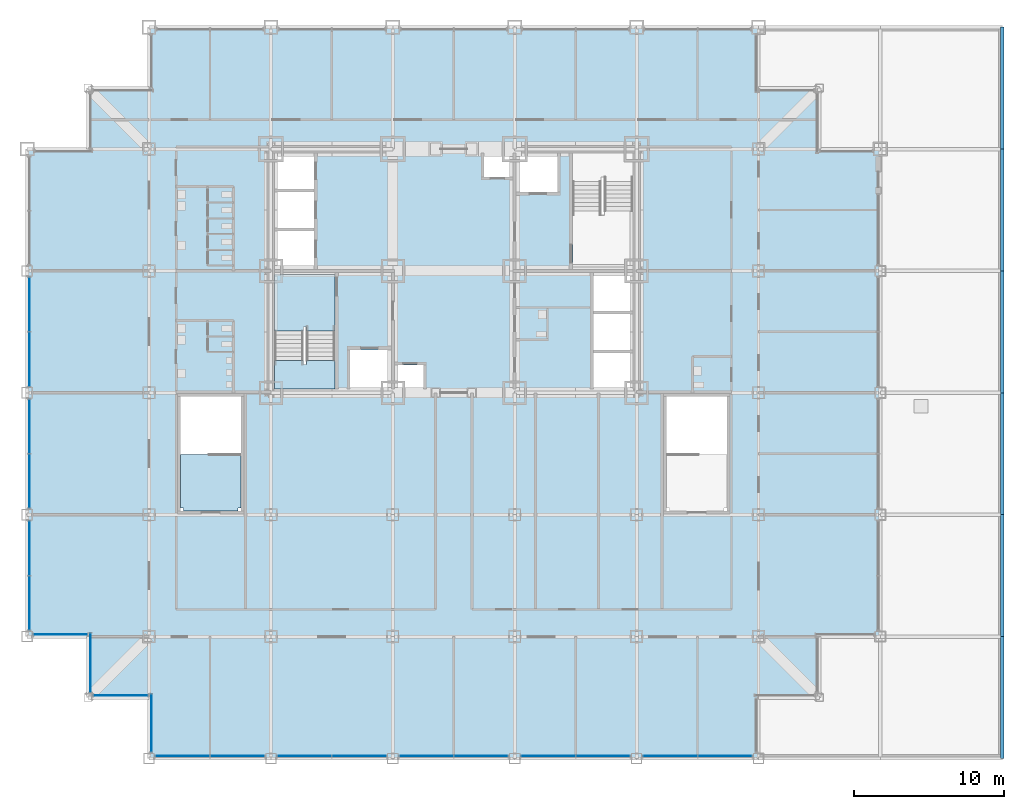
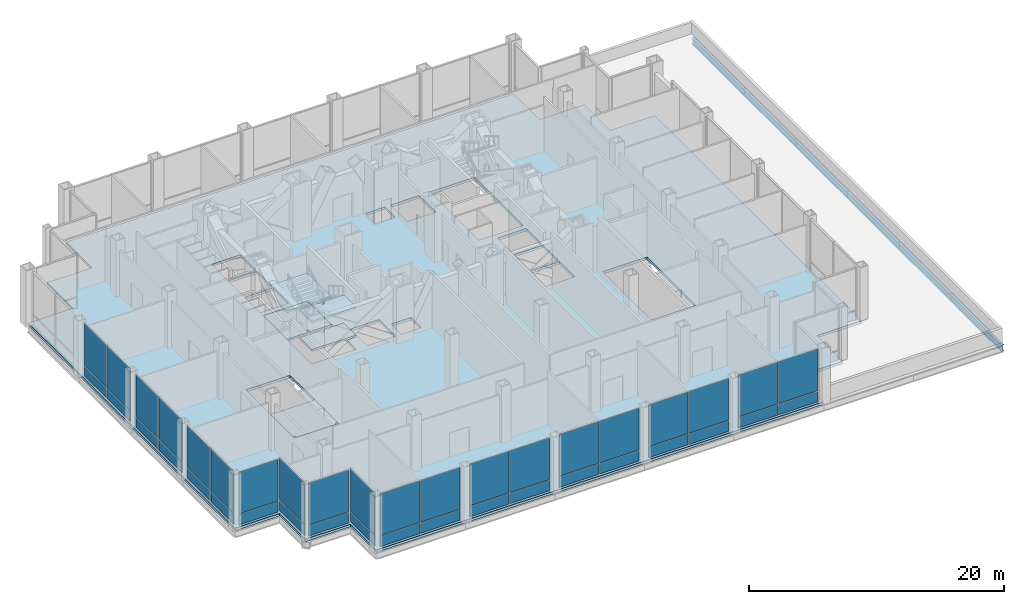
# One storey, part 10 of 18: 40 plates, 6 beams, 6 slabs, 13 elements without a shape of their own.
"""IFC4 building model written with IfcOpenShell, lengths in metres."""

import ifcopenshell
import ifcopenshell.guid

model = None  # the IFC model being written
_history = None  # IfcOwnerHistory: only IFC2X3 demands one
_inside = {}  # id of a spatial element -> (the spatial element, [elements in it])
_under = {}  # id of a project, library or spatial element -> (it, [spatial elements below it])
_declared = {}  # id of a project -> (the project, [libraries it declares])
_typed = {}  # id of a type object -> (the type object, [elements of that type])
_made_of = {}  # id of a material, layer set ... -> (it, [elements and type objects made of it])


def new_model(schema):
    """Start an empty IFC model of exactly this schema.

    Asked for "IFC4X3", IfcOpenShell would pick the latest addendum, in which some entities
    have other attributes; the version numbers below select the first issue.
    IFC2X3 requires an IfcOwnerHistory on every rooted entity: one is made here for all.
    """
    global model, _history
    if schema == "IFC4X3":
        model = ifcopenshell.file(schema_version=(4, 3, 0, 0))
    else:
        model = ifcopenshell.file(schema=schema)
    _inside.clear()
    _under.clear()
    _declared.clear()
    _typed.clear()
    _made_of.clear()
    _history = None
    if model.schema == "IFC2X3":
        org = make("IfcOrganization", Name="unknown")
        user = make(
            "IfcPersonAndOrganization",
            ThePerson=make("IfcPerson", FamilyName="unknown"),
            TheOrganization=org,
        )
        app = make(
            "IfcApplication",
            ApplicationDeveloper=org,
            Version="unknown",
            ApplicationFullName="unknown",
            ApplicationIdentifier="unknown",
        )
        _history = make(
            "IfcOwnerHistory",
            OwningUser=user,
            OwningApplication=app,
            ChangeAction="ADDED",
            CreationDate=0,
        )
    return model


def make(cls, **values):
    """One entity of the class cls with the attributes given. An attribute that is None is left unset."""
    return model.create_entity(
        cls, **{name: value for name, value in values.items() if value is not None}
    )


def rooted(cls, **values):
    """An entity with a GlobalId (a new one), such as an element, a storey or a relation."""
    return make(cls, GlobalId=ifcopenshell.guid.new(), OwnerHistory=_history, **values)


def si_unit(unit_type, name, prefix=None):
    """IfcSIUnit, for example si_unit("LENGTHUNIT", "METRE", prefix="MILLI")."""
    return make("IfcSIUnit", UnitType=unit_type, Prefix=prefix, Name=name)


def assignment(units):
    """IfcUnitAssignment: the units of a project."""
    return None if units is None else make("IfcUnitAssignment", Units=units)


def point(xyz):
    """IfcCartesianPoint."""
    return None if xyz is None else make("IfcCartesianPoint", Coordinates=xyz)


def direction(xyz):
    """IfcDirection."""
    return None if xyz is None else make("IfcDirection", DirectionRatios=xyz)


def frame(location, z_axis=None, x_axis=None):
    """IfcAxis2Placement3D, a coordinate frame: its origin and axes. An axis left out is left unset."""
    return make(
        "IfcAxis2Placement3D",
        Location=point(location),
        Axis=direction(z_axis),
        RefDirection=direction(x_axis),
    )


def frame_2d(location, x_axis=None):
    """IfcAxis2Placement2D, a coordinate frame in the plane: its origin and x axis."""
    return make(
        "IfcAxis2Placement2D", Location=point(location), RefDirection=direction(x_axis)
    )


def origin():
    """The frame at (0, 0, 0) with its axes left unset."""
    return frame((0.0, 0.0, 0.0))


def origin_2d():
    """The frame at (0, 0) in the plane with its x axis left unset."""
    return frame_2d((0.0, 0.0))


def place(relative_to, where):
    """IfcLocalPlacement: puts the frame where relative to a parent placement (None: the world)."""
    return make(
        "IfcLocalPlacement", PlacementRelTo=relative_to, RelativePlacement=where
    )


def context(
    kind, dimensions, precision=None, world=None, true_north=None, identifier=None
):
    """IfcGeometricRepresentationContext, for example the 3D "Model" context."""
    return make(
        "IfcGeometricRepresentationContext",
        ContextIdentifier=identifier,
        ContextType=kind,
        CoordinateSpaceDimension=dimensions,
        Precision=precision,
        WorldCoordinateSystem=world,
        TrueNorth=true_north,
    )


def subcontext(parent, identifier, kind, view, scale=None):
    """IfcGeometricRepresentationSubContext, for example "Body" below "Model"."""
    return make(
        "IfcGeometricRepresentationSubContext",
        ContextIdentifier=identifier,
        ContextType=kind,
        ParentContext=parent,
        TargetScale=scale,
        TargetView=view,
    )


def project(units=None, contexts=None):
    """IfcProject with its units and contexts."""
    return rooted(
        "IfcProject",
        Name="project",
        RepresentationContexts=contexts,
        UnitsInContext=assignment(units),
    )


def spatial(cls, under=None, at=None, **own):
    """A site, building, storey or space (cls), placed at a placement, below another one or the project."""
    s = rooted(cls, ObjectPlacement=at, **own)
    if under is not None:
        _under.setdefault(under.id(), (under, []))[1].append(s)
    return s


def polyline(points):
    """IfcPolyline through the points."""
    return make("IfcPolyline", Points=[point(p) for p in points])


def profile(cls, at=None, kind="AREA", **sizes):
    """A parametric profile (cls). Its sizes go by their IFC names, for example OverallWidth=200.0."""
    return make(cls, ProfileType=kind, Position=at, **sizes)


def rectangle(**sizes):
    """IfcRectangleProfileDef."""
    return profile("IfcRectangleProfileDef", **sizes)


def i_section(**sizes):
    """IfcIShapeProfileDef."""
    return profile("IfcIShapeProfileDef", **sizes)


def outline(outer, holes=None, kind="AREA"):
    """IfcArbitraryClosedProfileDef: a profile drawn as a closed curve; with holes, ...WithVoids."""
    if holes is None:
        return make("IfcArbitraryClosedProfileDef", ProfileType=kind, OuterCurve=outer)
    return make(
        "IfcArbitraryProfileDefWithVoids",
        ProfileType=kind,
        OuterCurve=outer,
        InnerCurves=holes,
    )


def extrude(swept, where, along, depth):
    """IfcExtrudedAreaSolid: the profile swept, set in the frame where, extruded along a direction by depth."""
    return make(
        "IfcExtrudedAreaSolid",
        SweptArea=swept,
        Position=where,
        ExtrudedDirection=direction(along),
        Depth=depth,
    )


def shape(context_of_items, identifier, shape_type, items):
    """IfcShapeRepresentation: the items that make up one representation, for example the "Body"."""
    return make(
        "IfcShapeRepresentation",
        ContextOfItems=context_of_items,
        RepresentationIdentifier=identifier,
        RepresentationType=shape_type,
        Items=items,
    )


def material(Name=None, Category=None):
    """IfcMaterial."""
    return make("IfcMaterial", Name=Name, Category=Category)


def layer(
    of_material, thickness, ventilated=None, Name=None, Category=None, Priority=None
):
    """IfcMaterialLayer: one layer of a wall or slab, of a material (None: an air gap)."""
    return make(
        "IfcMaterialLayer",
        Material=of_material,
        LayerThickness=thickness,
        IsVentilated=ventilated,
        Name=Name,
        Category=Category,
        Priority=Priority,
    )


def layer_set(layers, Name=None):
    """IfcMaterialLayerSet."""
    return make("IfcMaterialLayerSet", MaterialLayers=layers, LayerSetName=Name)


def material_profile(
    of_material, cross_section, Name=None, Category=None, Priority=None
):
    """IfcMaterialProfile: a cross section and its material."""
    return make(
        "IfcMaterialProfile",
        Name=Name,
        Material=of_material,
        Profile=cross_section,
        Priority=Priority,
        Category=Category,
    )


def profile_set(profiles, Name=None, composite=None):
    """IfcMaterialProfileSet."""
    return make(
        "IfcMaterialProfileSet",
        Name=Name,
        MaterialProfiles=profiles,
        CompositeProfile=composite,
    )


def made_of(thing, what):
    """Note that an element or type object is made of a material, layer set ...; save() writes the relation."""
    if what is not None:
        _made_of.setdefault(what.id(), (what, []))[1].append(thing)
    return thing


def type_object(cls, material=None, **own):
    """A type object (cls), such as IfcWallType, which elements share."""
    return made_of(rooted(cls, **own), material)


def element(
    cls,
    number,
    at=None,
    inside=None,
    cuts=None,
    type_object=None,
    material=None,
    context=None,
    identifier="Body",
    shape_type=None,
    held_by="IfcProductDefinitionShape",
    body=None,
    shapes=None,
    **own,
):
    """One element of the class cls, such as IfcWall. Its Tag is "e" and its number.

    at: its placement. inside: the storey or other place that contains it. cuts: it is an
    opening in that element (IfcRelVoidsElement). A single representation is given by context,
    identifier, shape_type and body (its items); several are given by shapes. held_by: the class
    of the entity that holds the representations. save() writes the other relations.
    """
    e = rooted(cls, Tag="e%d" % number, ObjectPlacement=at, **own)
    if body is not None:
        shapes = [shape(context, identifier, shape_type, body)]
    if shapes is not None:
        e.Representation = make(held_by, Representations=shapes)
    if inside is not None:
        _inside.setdefault(inside.id(), (inside, []))[1].append(e)
    if cuts is not None:
        rooted(
            "IfcRelVoidsElement", RelatingBuildingElement=cuts, RelatedOpeningElement=e
        )
    if type_object is not None:
        _typed.setdefault(type_object.id(), (type_object, []))[1].append(e)
    return made_of(e, material)


def aggregate(whole, parts):
    """IfcRelAggregates: a whole, such as a stair, and the parts it consists of."""
    return rooted("IfcRelAggregates", RelatingObject=whole, RelatedObjects=parts)


def save(model, path):
    """Write the relations noted so far, then the file.

    IfcRelAggregates (storeys below a building ...), IfcRelContainedInSpatialStructure (elements
    in a storey), IfcRelDefinesByType, IfcRelAssociatesMaterial and IfcRelDeclares: one each for
    every whole, place, type object, material and project.
    """
    for whole, parts in _under.values():
        aggregate(whole, parts)
    for where, things in _inside.values():
        rooted(
            "IfcRelContainedInSpatialStructure",
            RelatedElements=things,
            RelatingStructure=where,
        )
    for kind, things in _typed.values():
        rooted("IfcRelDefinesByType", RelatedObjects=things, RelatingType=kind)
    for what, things in _made_of.values():
        rooted("IfcRelAssociatesMaterial", RelatedObjects=things, RelatingMaterial=what)
    for by, libraries in _declared.values():
        rooted("IfcRelDeclares", RelatingContext=by, RelatedDefinitions=libraries)
    model.write(path)


model = new_model("IFC4")

# Units and contexts
model_context = context("Model", 3, precision=1e-05, world=origin(), true_north=direction((0.0, 1.0)))
body_context = subcontext(model_context, "Body", "Model", "MODEL_VIEW")
ifc_project = project(units=[si_unit("LENGTHUNIT", "METRE"), si_unit("AREAUNIT", "SQUARE_METRE"), si_unit("VOLUMEUNIT", "CUBIC_METRE"), si_unit("PLANEANGLEUNIT", "RADIAN"), si_unit("MASSUNIT", "GRAM", prefix="KILO")], contexts=[model_context])

# Site, building, storey
site_placement = place(None, origin())
site = spatial("IfcSite", under=ifc_project, at=site_placement, CompositionType="ELEMENT")
building_placement = place(site_placement, origin())
building = spatial("IfcBuilding", under=site, at=building_placement, Name="Kopane Lantern Tower", CompositionType="ELEMENT")
storey_placement = place(building_placement, frame((0.0, 0.0, 22.199951171875)))
storey = spatial("IfcBuildingStorey", under=building, at=storey_placement, Name="L04", CompositionType="ELEMENT", Elevation=22.199951171875)

# Beams
ifc_material_1 = material(Name="Steel S355JR", Category="steel")
ifc_material_profile = material_profile(ifc_material_1, i_section(OverallWidth=0.22900390625, OverallDepth=0.6123046875, WebThickness=0.011962890625, FlangeThickness=0.01953125, FilletRadius=0.0126953125, at=origin_2d()), Name="UB 610x229x125")
ifc_profile_set = profile_set([ifc_material_profile], Name="Steel S355JR")
beam_type = type_object("IfcBeamType", Name="GIRDER UB 610x229x125", PredefinedType="BEAM", material=ifc_profile_set)
beam_1_placement = place(storey_placement, frame((64.800048828125, 0.0, -0.55615234375), z_axis=(0.0, 1.0, 0.0), x_axis=(-1.0, 0.0, 0.0)))
element("IfcBeam", 1, at=beam_1_placement, inside=storey, type_object=beam_type, Name="Girder L04", PredefinedType="BEAM", context=body_context, shape_type="SweptSolid", body=[
    extrude(i_section(OverallWidth=0.22900390625, OverallDepth=0.6123046875, WebThickness=0.011962890625, FlangeThickness=0.01953125, FilletRadius=0.0126953125, at=origin_2d()), origin(), (0.0, 0.0, 1.0), 8.10009765625),
])
beam_2_placement = place(storey_placement, frame((64.800048828125, 8.10009765625, -0.55615234375), z_axis=(0.0, 1.0, 0.0), x_axis=(-1.0, 0.0, 0.0)))
element("IfcBeam", 2, at=beam_2_placement, inside=storey, type_object=beam_type, Name="Girder L04", PredefinedType="BEAM", context=body_context, shape_type="SweptSolid", body=[
    extrude(i_section(OverallWidth=0.22900390625, OverallDepth=0.6123046875, WebThickness=0.011962890625, FlangeThickness=0.01953125, FilletRadius=0.0126953125, at=origin_2d()), origin(), (0.0, 0.0, 1.0), 8.099853515625),
])
beam_3_placement = place(storey_placement, frame((64.800048828125, 16.199951171875, -0.55615234375), z_axis=(0.0, 1.0, 0.0), x_axis=(-1.0, 0.0, 0.0)))
element("IfcBeam", 3, at=beam_3_placement, inside=storey, type_object=beam_type, Name="Girder L04", PredefinedType="BEAM", context=body_context, shape_type="SweptSolid", body=[
    extrude(i_section(OverallWidth=0.22900390625, OverallDepth=0.6123046875, WebThickness=0.011962890625, FlangeThickness=0.01953125, FilletRadius=0.0126953125, at=origin_2d()), origin(), (0.0, 0.0, 1.0), 8.10009765625),
])
beam_4_placement = place(storey_placement, frame((64.800048828125, 24.300048828125, -0.55615234375), z_axis=(0.0, 1.0, 0.0), x_axis=(-1.0, 0.0, 0.0)))
element("IfcBeam", 4, at=beam_4_placement, inside=storey, type_object=beam_type, Name="Girder L04", PredefinedType="BEAM", context=body_context, shape_type="SweptSolid", body=[
    extrude(i_section(OverallWidth=0.22900390625, OverallDepth=0.6123046875, WebThickness=0.011962890625, FlangeThickness=0.01953125, FilletRadius=0.0126953125, at=origin_2d()), origin(), (0.0, 0.0, 1.0), 8.099853515625),
])
for number, where, z_axis, x_axis, name in (
    (5, (64.800048828125, 32.39990234375, -0.55615234375), (0.0, 1.0, 0.0), (-1.0, 0.0, 0.0), "Girder L04"),
    (6, (64.800048828125, 40.5, -0.55615234375), (0.0, 1.0, 0.0), (-1.0, 0.0, 0.0), "Girder L04"),
):
    element("IfcBeam", number, at=place(storey_placement, frame(where, z_axis=z_axis, x_axis=x_axis)), inside=storey, type_object=beam_type, Name=name, PredefinedType="BEAM", context=body_context, shape_type="SweptSolid", body=[
        extrude(i_section(OverallWidth=0.22900390625, OverallDepth=0.6123046875, WebThickness=0.011962890625, FlangeThickness=0.01953125, FilletRadius=0.0126953125, at=origin_2d()), origin(), (0.0, 0.0, 1.0), 8.10009765625),
    ])

# Curtain wall, plates
ifc_material_2 = material(Name="Aluminium and clear glass", Category="aluminium")
curtain_wall_type = type_object("IfcCurtainWallType", Name="CURTAIN WALL CW3 SKY LOBBY", PredefinedType="USERDEFINED", material=ifc_material_2)
curtain_wall_1_placement = place(storey_placement, origin())
curtain_wall_1 = element("IfcCurtainWall", 7, at=curtain_wall_1_placement, inside=storey, type_object=curtain_wall_type, Name="Curtain wall CW3 S L04", ObjectType="CURTAIN WALL", PredefinedType="USERDEFINED")
ifc_material_3 = material(Name="Insulated clear glass unit", Category="glass")
ifc_layer_1 = layer(ifc_material_3, 0.033935546875)
ifc_layer_set_1 = layer_set([ifc_layer_1], Name="CURTAIN PANEL CW3-P 34")
plate_type = type_object("IfcPlateType", Name="CURTAIN PANEL CW3-P 34", PredefinedType="CURTAIN_PANEL", material=ifc_layer_set_1)
plate_1_placement = place(storey_placement, frame((10.33251953125, 0.14990234375, 0.070068359375), z_axis=(0.0, 0.0, 1.0), x_axis=(1.0, 0.0, 0.0)))
plate_1 = element("IfcPlate", 8, at=plate_1_placement, type_object=plate_type, Name="CW3 panel 1.1", PredefinedType="CURTAIN_PANEL", context=body_context, shape_type="SweptSolid", body=[
    extrude(rectangle(XDim=3.56494140625, YDim=0.033935546875, at=origin_2d()), origin(), (0.0, 0.0, 1.0), 0.9951171875),
])
plate_2_placement = place(storey_placement, frame((10.33251953125, 0.14990234375, 1.134765625), z_axis=(0.0, 0.0, 1.0), x_axis=(1.0, 0.0, 0.0)))
plate_2 = element("IfcPlate", 9, at=plate_2_placement, type_object=plate_type, Name="CW3 panel 1.2", PredefinedType="CURTAIN_PANEL", context=body_context, shape_type="SweptSolid", body=[
    extrude(rectangle(XDim=3.56494140625, YDim=0.033935546875, at=origin_2d()), origin(), (0.0, 0.0, 1.0), 3.985107421875),
])
plate_3_placement = place(storey_placement, frame((13.967529296875, 0.14990234375, 0.070068359375), z_axis=(0.0, 0.0, 1.0), x_axis=(1.0, 0.0, 0.0)))
plate_3 = element("IfcPlate", 10, at=plate_3_placement, type_object=plate_type, Name="CW3 panel 2.1", PredefinedType="CURTAIN_PANEL", context=body_context, shape_type="SweptSolid", body=[
    extrude(rectangle(XDim=3.56494140625, YDim=0.033935546875, at=origin_2d()), origin(), (0.0, 0.0, 1.0), 0.9951171875),
])
plate_4_placement = place(storey_placement, frame((13.967529296875, 0.14990234375, 1.134765625), z_axis=(0.0, 0.0, 1.0), x_axis=(1.0, 0.0, 0.0)))
plate_4 = element("IfcPlate", 11, at=plate_4_placement, type_object=plate_type, Name="CW3 panel 2.2", PredefinedType="CURTAIN_PANEL", context=body_context, shape_type="SweptSolid", body=[
    extrude(rectangle(XDim=3.56494140625, YDim=0.033935546875, at=origin_2d()), origin(), (0.0, 0.0, 1.0), 3.985107421875),
])
aggregate(curtain_wall_1, [plate_1, plate_2, plate_3, plate_4])

curtain_wall_2_placement = place(storey_placement, origin())
curtain_wall_2 = element("IfcCurtainWall", 12, at=curtain_wall_2_placement, inside=storey, type_object=curtain_wall_type, Name="Curtain wall CW3 S L04", ObjectType="CURTAIN WALL", PredefinedType="USERDEFINED")
plate_5_placement = place(storey_placement, frame((18.4326171875, 0.14990234375, 0.070068359375), z_axis=(0.0, 0.0, 1.0), x_axis=(1.0, 0.0, 0.0)))
plate_5 = element("IfcPlate", 13, at=plate_5_placement, type_object=plate_type, Name="CW3 panel 1.1", PredefinedType="CURTAIN_PANEL", context=body_context, shape_type="SweptSolid", body=[
    extrude(rectangle(XDim=3.56494140625, YDim=0.033935546875, at=origin_2d()), origin(), (0.0, 0.0, 1.0), 0.9951171875),
])
plate_6_placement = place(storey_placement, frame((18.4326171875, 0.14990234375, 1.134765625), z_axis=(0.0, 0.0, 1.0), x_axis=(1.0, 0.0, 0.0)))
plate_6 = element("IfcPlate", 14, at=plate_6_placement, type_object=plate_type, Name="CW3 panel 1.2", PredefinedType="CURTAIN_PANEL", context=body_context, shape_type="SweptSolid", body=[
    extrude(rectangle(XDim=3.56494140625, YDim=0.033935546875, at=origin_2d()), origin(), (0.0, 0.0, 1.0), 3.985107421875),
])
plate_7_placement = place(storey_placement, frame((22.0673828125, 0.14990234375, 0.070068359375), z_axis=(0.0, 0.0, 1.0), x_axis=(1.0, 0.0, 0.0)))
plate_7 = element("IfcPlate", 15, at=plate_7_placement, type_object=plate_type, Name="CW3 panel 2.1", PredefinedType="CURTAIN_PANEL", context=body_context, shape_type="SweptSolid", body=[
    extrude(rectangle(XDim=3.56494140625, YDim=0.033935546875, at=origin_2d()), origin(), (0.0, 0.0, 1.0), 0.9951171875),
])
plate_8_placement = place(storey_placement, frame((22.0673828125, 0.14990234375, 1.134765625), z_axis=(0.0, 0.0, 1.0), x_axis=(1.0, 0.0, 0.0)))
plate_8 = element("IfcPlate", 16, at=plate_8_placement, type_object=plate_type, Name="CW3 panel 2.2", PredefinedType="CURTAIN_PANEL", context=body_context, shape_type="SweptSolid", body=[
    extrude(rectangle(XDim=3.56494140625, YDim=0.033935546875, at=origin_2d()), origin(), (0.0, 0.0, 1.0), 3.985107421875),
])
aggregate(curtain_wall_2, [plate_5, plate_6, plate_7, plate_8])

curtain_wall_3_placement = place(storey_placement, origin())
curtain_wall_3 = element("IfcCurtainWall", 17, at=curtain_wall_3_placement, inside=storey, type_object=curtain_wall_type, Name="Curtain wall CW3 S L04", ObjectType="CURTAIN WALL", PredefinedType="USERDEFINED")
plate_9_placement = place(storey_placement, frame((26.532470703125, 0.14990234375, 0.070068359375), z_axis=(0.0, 0.0, 1.0), x_axis=(1.0, 0.0, 0.0)))
plate_9 = element("IfcPlate", 18, at=plate_9_placement, type_object=plate_type, Name="CW3 panel 1.1", PredefinedType="CURTAIN_PANEL", context=body_context, shape_type="SweptSolid", body=[
    extrude(rectangle(XDim=3.56494140625, YDim=0.033935546875, at=origin_2d()), origin(), (0.0, 0.0, 1.0), 0.9951171875),
])
plate_10_placement = place(storey_placement, frame((26.532470703125, 0.14990234375, 1.134765625), z_axis=(0.0, 0.0, 1.0), x_axis=(1.0, 0.0, 0.0)))
plate_10 = element("IfcPlate", 19, at=plate_10_placement, type_object=plate_type, Name="CW3 panel 1.2", PredefinedType="CURTAIN_PANEL", context=body_context, shape_type="SweptSolid", body=[
    extrude(rectangle(XDim=3.56494140625, YDim=0.033935546875, at=origin_2d()), origin(), (0.0, 0.0, 1.0), 3.985107421875),
])
plate_11_placement = place(storey_placement, frame((30.16748046875, 0.14990234375, 0.070068359375), z_axis=(0.0, 0.0, 1.0), x_axis=(1.0, 0.0, 0.0)))
plate_11 = element("IfcPlate", 20, at=plate_11_placement, type_object=plate_type, Name="CW3 panel 2.1", PredefinedType="CURTAIN_PANEL", context=body_context, shape_type="SweptSolid", body=[
    extrude(rectangle(XDim=3.56494140625, YDim=0.033935546875, at=origin_2d()), origin(), (0.0, 0.0, 1.0), 0.9951171875),
])
plate_12_placement = place(storey_placement, frame((30.16748046875, 0.14990234375, 1.134765625), z_axis=(0.0, 0.0, 1.0), x_axis=(1.0, 0.0, 0.0)))
plate_12 = element("IfcPlate", 21, at=plate_12_placement, type_object=plate_type, Name="CW3 panel 2.2", PredefinedType="CURTAIN_PANEL", context=body_context, shape_type="SweptSolid", body=[
    extrude(rectangle(XDim=3.56494140625, YDim=0.033935546875, at=origin_2d()), origin(), (0.0, 0.0, 1.0), 3.985107421875),
])
aggregate(curtain_wall_3, [plate_9, plate_10, plate_11, plate_12])

curtain_wall_4_placement = place(storey_placement, origin())
curtain_wall_4 = element("IfcCurtainWall", 22, at=curtain_wall_4_placement, inside=storey, type_object=curtain_wall_type, Name="Curtain wall CW3 S L04", ObjectType="CURTAIN WALL", PredefinedType="USERDEFINED")
plate_13_placement = place(storey_placement, frame((34.632568359375, 0.14990234375, 0.070068359375), z_axis=(0.0, 0.0, 1.0), x_axis=(1.0, 0.0, 0.0)))
plate_13 = element("IfcPlate", 23, at=plate_13_placement, type_object=plate_type, Name="CW3 panel 1.1", PredefinedType="CURTAIN_PANEL", context=body_context, shape_type="SweptSolid", body=[
    extrude(rectangle(XDim=3.56494140625, YDim=0.033935546875, at=origin_2d()), origin(), (0.0, 0.0, 1.0), 0.9951171875),
])
plate_14_placement = place(storey_placement, frame((34.632568359375, 0.14990234375, 1.134765625), z_axis=(0.0, 0.0, 1.0), x_axis=(1.0, 0.0, 0.0)))
plate_14 = element("IfcPlate", 24, at=plate_14_placement, type_object=plate_type, Name="CW3 panel 1.2", PredefinedType="CURTAIN_PANEL", context=body_context, shape_type="SweptSolid", body=[
    extrude(rectangle(XDim=3.56494140625, YDim=0.033935546875, at=origin_2d()), origin(), (0.0, 0.0, 1.0), 3.985107421875),
])
plate_15_placement = place(storey_placement, frame((38.267578125, 0.14990234375, 0.070068359375), z_axis=(0.0, 0.0, 1.0), x_axis=(1.0, 0.0, 0.0)))
plate_15 = element("IfcPlate", 25, at=plate_15_placement, type_object=plate_type, Name="CW3 panel 2.1", PredefinedType="CURTAIN_PANEL", context=body_context, shape_type="SweptSolid", body=[
    extrude(rectangle(XDim=3.56494140625, YDim=0.033935546875, at=origin_2d()), origin(), (0.0, 0.0, 1.0), 0.9951171875),
])
plate_16_placement = place(storey_placement, frame((38.267578125, 0.14990234375, 1.134765625), z_axis=(0.0, 0.0, 1.0), x_axis=(1.0, 0.0, 0.0)))
plate_16 = element("IfcPlate", 26, at=plate_16_placement, type_object=plate_type, Name="CW3 panel 2.2", PredefinedType="CURTAIN_PANEL", context=body_context, shape_type="SweptSolid", body=[
    extrude(rectangle(XDim=3.56494140625, YDim=0.033935546875, at=origin_2d()), origin(), (0.0, 0.0, 1.0), 3.985107421875),
])
aggregate(curtain_wall_4, [plate_13, plate_14, plate_15, plate_16])

curtain_wall_5_placement = place(storey_placement, origin())
curtain_wall_5 = element("IfcCurtainWall", 27, at=curtain_wall_5_placement, inside=storey, type_object=curtain_wall_type, Name="Curtain wall CW3 S L04", ObjectType="CURTAIN WALL", PredefinedType="USERDEFINED")
plate_17_placement = place(storey_placement, frame((42.732421875, 0.14990234375, 0.070068359375), z_axis=(0.0, 0.0, 1.0), x_axis=(1.0, 0.0, 0.0)))
plate_17 = element("IfcPlate", 28, at=plate_17_placement, type_object=plate_type, Name="CW3 panel 1.1", PredefinedType="CURTAIN_PANEL", context=body_context, shape_type="SweptSolid", body=[
    extrude(rectangle(XDim=3.56494140625, YDim=0.033935546875, at=origin_2d()), origin(), (0.0, 0.0, 1.0), 0.9951171875),
])
plate_18_placement = place(storey_placement, frame((42.732421875, 0.14990234375, 1.134765625), z_axis=(0.0, 0.0, 1.0), x_axis=(1.0, 0.0, 0.0)))
plate_18 = element("IfcPlate", 29, at=plate_18_placement, type_object=plate_type, Name="CW3 panel 1.2", PredefinedType="CURTAIN_PANEL", context=body_context, shape_type="SweptSolid", body=[
    extrude(rectangle(XDim=3.56494140625, YDim=0.033935546875, at=origin_2d()), origin(), (0.0, 0.0, 1.0), 3.985107421875),
])
plate_19_placement = place(storey_placement, frame((46.367431640625, 0.14990234375, 0.070068359375), z_axis=(0.0, 0.0, 1.0), x_axis=(1.0, 0.0, 0.0)))
plate_19 = element("IfcPlate", 30, at=plate_19_placement, type_object=plate_type, Name="CW3 panel 2.1", PredefinedType="CURTAIN_PANEL", context=body_context, shape_type="SweptSolid", body=[
    extrude(rectangle(XDim=3.56494140625, YDim=0.033935546875, at=origin_2d()), origin(), (0.0, 0.0, 1.0), 0.9951171875),
])
plate_20_placement = place(storey_placement, frame((46.367431640625, 0.14990234375, 1.134765625), z_axis=(0.0, 0.0, 1.0), x_axis=(1.0, 0.0, 0.0)))
plate_20 = element("IfcPlate", 31, at=plate_20_placement, type_object=plate_type, Name="CW3 panel 2.2", PredefinedType="CURTAIN_PANEL", context=body_context, shape_type="SweptSolid", body=[
    extrude(rectangle(XDim=3.56494140625, YDim=0.033935546875, at=origin_2d()), origin(), (0.0, 0.0, 1.0), 3.985107421875),
])
aggregate(curtain_wall_5, [plate_17, plate_18, plate_19, plate_20])

curtain_wall_6_placement = place(storey_placement, origin())
curtain_wall_6 = element("IfcCurtainWall", 32, at=curtain_wall_6_placement, inside=storey, type_object=curtain_wall_type, Name="Curtain wall CW3 W L04", ObjectType="CURTAIN WALL", PredefinedType="USERDEFINED")
plate_21_placement = place(storey_placement, frame((0.14990234375, 30.16748046875, 0.070068359375), z_axis=(0.0, 0.0, 1.0), x_axis=(0.0, -1.0, 0.0)))
plate_21 = element("IfcPlate", 33, at=plate_21_placement, type_object=plate_type, Name="CW3 panel 1.1", PredefinedType="CURTAIN_PANEL", context=body_context, shape_type="SweptSolid", body=[
    extrude(rectangle(XDim=3.56494140625, YDim=0.033935546875, at=origin_2d()), origin(), (0.0, 0.0, 1.0), 0.9951171875),
])
plate_22_placement = place(storey_placement, frame((0.14990234375, 30.16748046875, 1.134765625), z_axis=(0.0, 0.0, 1.0), x_axis=(0.0, -1.0, 0.0)))
plate_22 = element("IfcPlate", 34, at=plate_22_placement, type_object=plate_type, Name="CW3 panel 1.2", PredefinedType="CURTAIN_PANEL", context=body_context, shape_type="SweptSolid", body=[
    extrude(rectangle(XDim=3.56494140625, YDim=0.033935546875, at=origin_2d()), origin(), (0.0, 0.0, 1.0), 3.985107421875),
])
plate_23_placement = place(storey_placement, frame((0.14990234375, 26.532470703125, 0.070068359375), z_axis=(0.0, 0.0, 1.0), x_axis=(0.0, -1.0, 0.0)))
plate_23 = element("IfcPlate", 35, at=plate_23_placement, type_object=plate_type, Name="CW3 panel 2.1", PredefinedType="CURTAIN_PANEL", context=body_context, shape_type="SweptSolid", body=[
    extrude(rectangle(XDim=3.56494140625, YDim=0.033935546875, at=origin_2d()), origin(), (0.0, 0.0, 1.0), 0.9951171875),
])
plate_24_placement = place(storey_placement, frame((0.14990234375, 26.532470703125, 1.134765625), z_axis=(0.0, 0.0, 1.0), x_axis=(0.0, -1.0, 0.0)))
plate_24 = element("IfcPlate", 36, at=plate_24_placement, type_object=plate_type, Name="CW3 panel 2.2", PredefinedType="CURTAIN_PANEL", context=body_context, shape_type="SweptSolid", body=[
    extrude(rectangle(XDim=3.56494140625, YDim=0.033935546875, at=origin_2d()), origin(), (0.0, 0.0, 1.0), 3.985107421875),
])
aggregate(curtain_wall_6, [plate_21, plate_22, plate_23, plate_24])

curtain_wall_7_placement = place(storey_placement, origin())
curtain_wall_7 = element("IfcCurtainWall", 37, at=curtain_wall_7_placement, inside=storey, type_object=curtain_wall_type, Name="Curtain wall CW3 W L04", ObjectType="CURTAIN WALL", PredefinedType="USERDEFINED")
plate_25_placement = place(storey_placement, frame((0.14990234375, 22.0673828125, 0.070068359375), z_axis=(0.0, 0.0, 1.0), x_axis=(0.0, -1.0, 0.0)))
plate_25 = element("IfcPlate", 38, at=plate_25_placement, type_object=plate_type, Name="CW3 panel 1.1", PredefinedType="CURTAIN_PANEL", context=body_context, shape_type="SweptSolid", body=[
    extrude(rectangle(XDim=3.56494140625, YDim=0.033935546875, at=origin_2d()), origin(), (0.0, 0.0, 1.0), 0.9951171875),
])
plate_26_placement = place(storey_placement, frame((0.14990234375, 22.0673828125, 1.134765625), z_axis=(0.0, 0.0, 1.0), x_axis=(0.0, -1.0, 0.0)))
plate_26 = element("IfcPlate", 39, at=plate_26_placement, type_object=plate_type, Name="CW3 panel 1.2", PredefinedType="CURTAIN_PANEL", context=body_context, shape_type="SweptSolid", body=[
    extrude(rectangle(XDim=3.56494140625, YDim=0.033935546875, at=origin_2d()), origin(), (0.0, 0.0, 1.0), 3.985107421875),
])
plate_27_placement = place(storey_placement, frame((0.14990234375, 18.4326171875, 0.070068359375), z_axis=(0.0, 0.0, 1.0), x_axis=(0.0, -1.0, 0.0)))
plate_27 = element("IfcPlate", 40, at=plate_27_placement, type_object=plate_type, Name="CW3 panel 2.1", PredefinedType="CURTAIN_PANEL", context=body_context, shape_type="SweptSolid", body=[
    extrude(rectangle(XDim=3.56494140625, YDim=0.033935546875, at=origin_2d()), origin(), (0.0, 0.0, 1.0), 0.9951171875),
])
plate_28_placement = place(storey_placement, frame((0.14990234375, 18.4326171875, 1.134765625), z_axis=(0.0, 0.0, 1.0), x_axis=(0.0, -1.0, 0.0)))
plate_28 = element("IfcPlate", 41, at=plate_28_placement, type_object=plate_type, Name="CW3 panel 2.2", PredefinedType="CURTAIN_PANEL", context=body_context, shape_type="SweptSolid", body=[
    extrude(rectangle(XDim=3.56494140625, YDim=0.033935546875, at=origin_2d()), origin(), (0.0, 0.0, 1.0), 3.985107421875),
])
aggregate(curtain_wall_7, [plate_25, plate_26, plate_27, plate_28])

curtain_wall_8_placement = place(storey_placement, origin())
curtain_wall_8 = element("IfcCurtainWall", 42, at=curtain_wall_8_placement, inside=storey, type_object=curtain_wall_type, Name="Curtain wall CW3 W L04", ObjectType="CURTAIN WALL", PredefinedType="USERDEFINED")
plate_29_placement = place(storey_placement, frame((0.14990234375, 13.967529296875, 0.070068359375), z_axis=(0.0, 0.0, 1.0), x_axis=(0.0, -1.0, 0.0)))
plate_29 = element("IfcPlate", 43, at=plate_29_placement, type_object=plate_type, Name="CW3 panel 1.1", PredefinedType="CURTAIN_PANEL", context=body_context, shape_type="SweptSolid", body=[
    extrude(rectangle(XDim=3.56494140625, YDim=0.033935546875, at=origin_2d()), origin(), (0.0, 0.0, 1.0), 0.9951171875),
])
plate_30_placement = place(storey_placement, frame((0.14990234375, 13.967529296875, 1.134765625), z_axis=(0.0, 0.0, 1.0), x_axis=(0.0, -1.0, 0.0)))
plate_30 = element("IfcPlate", 44, at=plate_30_placement, type_object=plate_type, Name="CW3 panel 1.2", PredefinedType="CURTAIN_PANEL", context=body_context, shape_type="SweptSolid", body=[
    extrude(rectangle(XDim=3.56494140625, YDim=0.033935546875, at=origin_2d()), origin(), (0.0, 0.0, 1.0), 3.985107421875),
])
plate_31_placement = place(storey_placement, frame((0.14990234375, 10.33251953125, 0.070068359375), z_axis=(0.0, 0.0, 1.0), x_axis=(0.0, -1.0, 0.0)))
plate_31 = element("IfcPlate", 45, at=plate_31_placement, type_object=plate_type, Name="CW3 panel 2.1", PredefinedType="CURTAIN_PANEL", context=body_context, shape_type="SweptSolid", body=[
    extrude(rectangle(XDim=3.56494140625, YDim=0.033935546875, at=origin_2d()), origin(), (0.0, 0.0, 1.0), 0.9951171875),
])
plate_32_placement = place(storey_placement, frame((0.14990234375, 10.33251953125, 1.134765625), z_axis=(0.0, 0.0, 1.0), x_axis=(0.0, -1.0, 0.0)))
plate_32 = element("IfcPlate", 46, at=plate_32_placement, type_object=plate_type, Name="CW3 panel 2.2", PredefinedType="CURTAIN_PANEL", context=body_context, shape_type="SweptSolid", body=[
    extrude(rectangle(XDim=3.56494140625, YDim=0.033935546875, at=origin_2d()), origin(), (0.0, 0.0, 1.0), 3.985107421875),
])
aggregate(curtain_wall_8, [plate_29, plate_30, plate_31, plate_32])

curtain_wall_9_placement = place(storey_placement, origin())
curtain_wall_9 = element("IfcCurtainWall", 47, at=curtain_wall_9_placement, inside=storey, type_object=curtain_wall_type, Name="Curtain wall CW3 S L04", ObjectType="CURTAIN WALL", PredefinedType="USERDEFINED")
plate_33_placement = place(storey_placement, frame((2.215087890625, 8.25, 0.070068359375), z_axis=(0.0, 0.0, 1.0), x_axis=(1.0, 0.0, 0.0)))
plate_33 = element("IfcPlate", 48, at=plate_33_placement, type_object=plate_type, Name="CW3 panel 1.1", PredefinedType="CURTAIN_PANEL", context=body_context, shape_type="SweptSolid", body=[
    extrude(rectangle(XDim=3.530029296875, YDim=0.033935546875, at=origin_2d()), origin(), (0.0, 0.0, 1.0), 0.9951171875),
])
plate_34_placement = place(storey_placement, frame((2.215087890625, 8.25, 1.134765625), z_axis=(0.0, 0.0, 1.0), x_axis=(1.0, 0.0, 0.0)))
plate_34 = element("IfcPlate", 49, at=plate_34_placement, type_object=plate_type, Name="CW3 panel 1.2", PredefinedType="CURTAIN_PANEL", context=body_context, shape_type="SweptSolid", body=[
    extrude(rectangle(XDim=3.530029296875, YDim=0.033935546875, at=origin_2d()), origin(), (0.0, 0.0, 1.0), 3.985107421875),
])
aggregate(curtain_wall_9, [plate_33, plate_34])

curtain_wall_10_placement = place(storey_placement, origin())
curtain_wall_10 = element("IfcCurtainWall", 50, at=curtain_wall_10_placement, inside=storey, type_object=curtain_wall_type, Name="Curtain wall CW3 W L04", ObjectType="CURTAIN WALL", PredefinedType="USERDEFINED")
plate_35_placement = place(storey_placement, frame((4.199951171875, 6.364990234375, 0.070068359375), z_axis=(0.0, 0.0, 1.0), x_axis=(0.0, -1.0, 0.0)))
plate_35 = element("IfcPlate", 51, at=plate_35_placement, type_object=plate_type, Name="CW3 panel 1.1", PredefinedType="CURTAIN_PANEL", context=body_context, shape_type="SweptSolid", body=[
    extrude(rectangle(XDim=3.929931640625, YDim=0.033935546875, at=origin_2d()), origin(), (0.0, 0.0, 1.0), 0.9951171875),
])
plate_36_placement = place(storey_placement, frame((4.199951171875, 6.364990234375, 1.134765625), z_axis=(0.0, 0.0, 1.0), x_axis=(0.0, -1.0, 0.0)))
plate_36 = element("IfcPlate", 52, at=plate_36_placement, type_object=plate_type, Name="CW3 panel 1.2", PredefinedType="CURTAIN_PANEL", context=body_context, shape_type="SweptSolid", body=[
    extrude(rectangle(XDim=3.929931640625, YDim=0.033935546875, at=origin_2d()), origin(), (0.0, 0.0, 1.0), 3.985107421875),
])
aggregate(curtain_wall_10, [plate_35, plate_36])

curtain_wall_11_placement = place(storey_placement, origin())
curtain_wall_11 = element("IfcCurtainWall", 53, at=curtain_wall_11_placement, inside=storey, type_object=curtain_wall_type, Name="Curtain wall CW3 S L04", ObjectType="CURTAIN WALL", PredefinedType="USERDEFINED")
plate_37_placement = place(storey_placement, frame((6.22509765625, 4.199951171875, 0.070068359375), z_axis=(0.0, 0.0, 1.0), x_axis=(1.0, 0.0, 0.0)))
plate_37 = element("IfcPlate", 54, at=plate_37_placement, type_object=plate_type, Name="CW3 panel 1.1", PredefinedType="CURTAIN_PANEL", context=body_context, shape_type="SweptSolid", body=[
    extrude(rectangle(XDim=3.610107421875, YDim=0.033935546875, at=origin_2d()), origin(), (0.0, 0.0, 1.0), 0.9951171875),
])
plate_38_placement = place(storey_placement, frame((6.22509765625, 4.199951171875, 1.134765625), z_axis=(0.0, 0.0, 1.0), x_axis=(1.0, 0.0, 0.0)))
plate_38 = element("IfcPlate", 55, at=plate_38_placement, type_object=plate_type, Name="CW3 panel 1.2", PredefinedType="CURTAIN_PANEL", context=body_context, shape_type="SweptSolid", body=[
    extrude(rectangle(XDim=3.610107421875, YDim=0.033935546875, at=origin_2d()), origin(), (0.0, 0.0, 1.0), 3.985107421875),
])
aggregate(curtain_wall_11, [plate_37, plate_38])

curtain_wall_12_placement = place(storey_placement, origin())
curtain_wall_12 = element("IfcCurtainWall", 56, at=curtain_wall_12_placement, inside=storey, type_object=curtain_wall_type, Name="Curtain wall CW3 W L04", ObjectType="CURTAIN WALL", PredefinedType="USERDEFINED")
plate_39_placement = place(storey_placement, frame((8.25, 2.364990234375, 0.070068359375), z_axis=(0.0, 0.0, 1.0), x_axis=(0.0, -1.0, 0.0)))
plate_39 = element("IfcPlate", 57, at=plate_39_placement, type_object=plate_type, Name="CW3 panel 1.1", PredefinedType="CURTAIN_PANEL", context=body_context, shape_type="SweptSolid", body=[
    extrude(rectangle(XDim=3.830078125, YDim=0.033935546875, at=origin_2d()), origin(), (0.0, 0.0, 1.0), 0.9951171875),
])
plate_40_placement = place(storey_placement, frame((8.25, 2.364990234375, 1.134765625), z_axis=(0.0, 0.0, 1.0), x_axis=(0.0, -1.0, 0.0)))
plate_40 = element("IfcPlate", 58, at=plate_40_placement, type_object=plate_type, Name="CW3 panel 1.2", PredefinedType="CURTAIN_PANEL", context=body_context, shape_type="SweptSolid", body=[
    extrude(rectangle(XDim=3.830078125, YDim=0.033935546875, at=origin_2d()), origin(), (0.0, 0.0, 1.0), 3.985107421875),
])
aggregate(curtain_wall_12, [plate_39, plate_40])

# Slab
ifc_material_4 = material(Name="Concrete C40/50", Category="concrete")
ifc_layer_2 = layer(ifc_material_4, 0.25)
ifc_layer_set_2 = layer_set([ifc_layer_2], Name="SLAB 250 COMPOSITE")
slab_type_1 = type_object("IfcSlabType", Name="SLAB 250 COMPOSITE", PredefinedType="FLOOR", material=ifc_layer_set_2)
slab_1_placement = place(storey_placement, frame((0.0, 0.0, -0.25)))
element("IfcSlab", 59, at=slab_1_placement, inside=storey, type_object=slab_type_1, Name="Floor slab L04", PredefinedType="FLOOR", context=body_context, shape_type="SweptSolid", body=[
    extrude(outline(polyline([(8.10009765625, 0.0), (48.60009765625, 0.0), (48.60009765625, 4.050048828125), (52.64990234375, 4.050048828125), (52.64990234375, 8.10009765625), (56.699951171875, 8.10009765625), (56.699951171875, 40.5), (52.64990234375, 40.5), (52.64990234375, 44.550048828125), (48.60009765625, 44.550048828125), (48.60009765625, 48.60009765625), (8.10009765625, 48.60009765625), (8.10009765625, 44.550048828125), (4.050048828125, 44.550048828125), (4.050048828125, 40.5), (0.0, 40.5), (0.0, 8.10009765625), (4.050048828125, 8.10009765625), (4.050048828125, 4.050048828125), (8.10009765625, 4.050048828125), (8.10009765625, 0.0)]), holes=[polyline([(16.449951171875, 24.550048828125), (20.449951171875, 24.550048828125), (20.449951171875, 32.14990234375), (16.449951171875, 32.14990234375), (16.449951171875, 24.550048828125)]), polyline([(36.25, 32.64990234375), (40.25, 32.64990234375), (40.25, 40.25), (36.25, 40.25), (36.25, 32.64990234375)]), polyline([(16.449951171875, 32.64990234375), (19.050048828125, 32.64990234375), (19.050048828125, 35.050048828125), (16.449951171875, 35.050048828125), (16.449951171875, 32.64990234375)]), polyline([(16.449951171875, 35.25), (19.050048828125, 35.25), (19.050048828125, 37.64990234375), (16.449951171875, 37.64990234375), (16.449951171875, 35.25)]), polyline([(16.449951171875, 37.85009765625), (19.050048828125, 37.85009765625), (19.050048828125, 40.25), (16.449951171875, 40.25), (16.449951171875, 37.85009765625)]), polyline([(37.64990234375, 24.550048828125), (40.25, 24.550048828125), (40.25, 26.949951171875), (37.64990234375, 26.949951171875), (37.64990234375, 24.550048828125)]), polyline([(37.64990234375, 27.14990234375), (40.25, 27.14990234375), (40.25, 29.550048828125), (37.64990234375, 29.550048828125), (37.64990234375, 27.14990234375)]), polyline([(37.64990234375, 29.75), (40.25, 29.75), (40.25, 32.14990234375), (37.64990234375, 32.14990234375), (37.64990234375, 29.75)]), polyline([(21.449951171875, 24.550048828125), (24.050048828125, 24.550048828125), (24.050048828125, 27.14990234375), (21.449951171875, 27.14990234375), (21.449951171875, 24.550048828125)]), polyline([(32.64990234375, 37.64990234375), (35.25, 37.64990234375), (35.25, 40.25), (32.64990234375, 40.25), (32.64990234375, 37.64990234375)]), polyline([(24.550048828125, 24.550048828125), (26.35009765625, 24.550048828125), (26.35009765625, 26.14990234375), (24.550048828125, 26.14990234375), (24.550048828125, 24.550048828125)]), polyline([(30.35009765625, 38.64990234375), (32.14990234375, 38.64990234375), (32.14990234375, 40.25), (30.35009765625, 40.25), (30.35009765625, 38.64990234375)]), polyline([(10.199951171875, 16.449951171875), (14.199951171875, 16.449951171875), (14.199951171875, 24.050048828125), (10.199951171875, 24.050048828125), (10.199951171875, 16.449951171875)]), polyline([(42.5, 16.449951171875), (46.5, 16.449951171875), (46.5, 24.050048828125), (42.5, 24.050048828125), (42.5, 16.449951171875)])]), origin(), (0.0, 0.0, 1.0), 0.25),
])

# Stair, slabs
ifc_material_5 = material(Name="Steel S355JR", Category="steel")
stair_type = type_object("IfcStairType", Name="EXIT STAIR 1900 HALF TURN", PredefinedType="HALF_TURN_STAIR", material=ifc_material_5)
stair_placement = place(storey_placement, origin())
stair = element("IfcStair", 60, at=stair_placement, inside=storey, type_object=stair_type, Name="Exit stair ST1 L04", PredefinedType="HALF_TURN_STAIR")
ifc_material_6 = material(Name="Concrete C40/50", Category="concrete")
ifc_layer_3 = layer(ifc_material_6, 0.199951171875)
ifc_layer_set_3 = layer_set([ifc_layer_3], Name="STAIR LANDING 200")
slab_type_2 = type_object("IfcSlabType", Name="STAIR LANDING 200", PredefinedType="LANDING", material=ifc_layer_set_3)
slab_2_placement = place(storey_placement, frame((0.0, 0.0, -0.199951171875)))
slab_2 = element("IfcSlab", 61, at=slab_2_placement, type_object=slab_type_2, Name="ST1 landing 1", PredefinedType="LANDING", context=body_context, shape_type="SweptSolid", body=[
    extrude(outline(polyline([(18.35009765625, 28.68994140625), (18.550048828125, 28.68994140625), (18.550048828125, 28.409912109375), (20.449951171875, 28.409912109375), (20.449951171875, 32.14990234375), (16.449951171875, 32.14990234375), (16.449951171875, 28.409912109375), (18.35009765625, 28.409912109375), (18.35009765625, 28.68994140625)])), origin(), (0.0, 0.0, 1.0), 0.199951171875),
])
slab_3_placement = place(storey_placement, frame((0.0, 0.0, 1.150146484375)))
slab_3 = element("IfcSlab", 62, at=slab_3_placement, type_object=slab_type_2, Name="ST1 landing 2", PredefinedType="LANDING", context=body_context, shape_type="SweptSolid", body=[
    extrude(outline(polyline([(20.449951171875, 26.449951171875), (18.550048828125, 26.449951171875), (18.550048828125, 26.169921875), (18.35009765625, 26.169921875), (18.35009765625, 26.449951171875), (16.449951171875, 26.449951171875), (16.449951171875, 24.550048828125), (20.449951171875, 24.550048828125), (20.449951171875, 26.449951171875)])), origin(), (0.0, 0.0, 1.0), 0.199951171875),
])
slab_4_placement = place(storey_placement, frame((0.0, 0.0, 2.5)))
slab_4 = element("IfcSlab", 63, at=slab_4_placement, type_object=slab_type_2, Name="ST1 landing 3", PredefinedType="LANDING", context=body_context, shape_type="SweptSolid", body=[
    extrude(outline(polyline([(18.35009765625, 28.68994140625), (18.550048828125, 28.68994140625), (18.550048828125, 28.409912109375), (20.449951171875, 28.409912109375), (20.449951171875, 32.14990234375), (16.449951171875, 32.14990234375), (16.449951171875, 28.409912109375), (18.35009765625, 28.409912109375), (18.35009765625, 28.68994140625)])), origin(), (0.0, 0.0, 1.0), 0.199951171875),
])
slab_5_placement = place(storey_placement, frame((0.0, 0.0, 3.85009765625)))
slab_5 = element("IfcSlab", 64, at=slab_5_placement, type_object=slab_type_2, Name="ST1 landing 4", PredefinedType="LANDING", context=body_context, shape_type="SweptSolid", body=[
    extrude(outline(polyline([(20.449951171875, 26.449951171875), (18.550048828125, 26.449951171875), (18.550048828125, 26.169921875), (18.35009765625, 26.169921875), (18.35009765625, 26.449951171875), (16.449951171875, 26.449951171875), (16.449951171875, 24.550048828125), (20.449951171875, 24.550048828125), (20.449951171875, 26.449951171875)])), origin(), (0.0, 0.0, 1.0), 0.199951171875),
])
aggregate(stair, [slab_2, slab_3, slab_4, slab_5])

# Slab
slab_6_placement = place(storey_placement, frame((0.0, 0.0, -0.199951171875)))
element("IfcSlab", 65, at=slab_6_placement, inside=storey, type_object=slab_type_2, Name="ST3 landing L04", PredefinedType="LANDING", context=body_context, shape_type="SweptSolid", body=[
    extrude(outline(polyline([(14.199951171875, 16.64990234375), (14.199951171875, 20.18994140625), (10.199951171875, 20.18994140625), (10.199951171875, 16.64990234375), (10.39990234375, 16.64990234375), (10.39990234375, 16.449951171875), (14.0, 16.449951171875), (14.0, 16.64990234375), (14.199951171875, 16.64990234375)])), origin(), (0.0, 0.0, 1.0), 0.199951171875),
])

save(model, "model.ifc")
